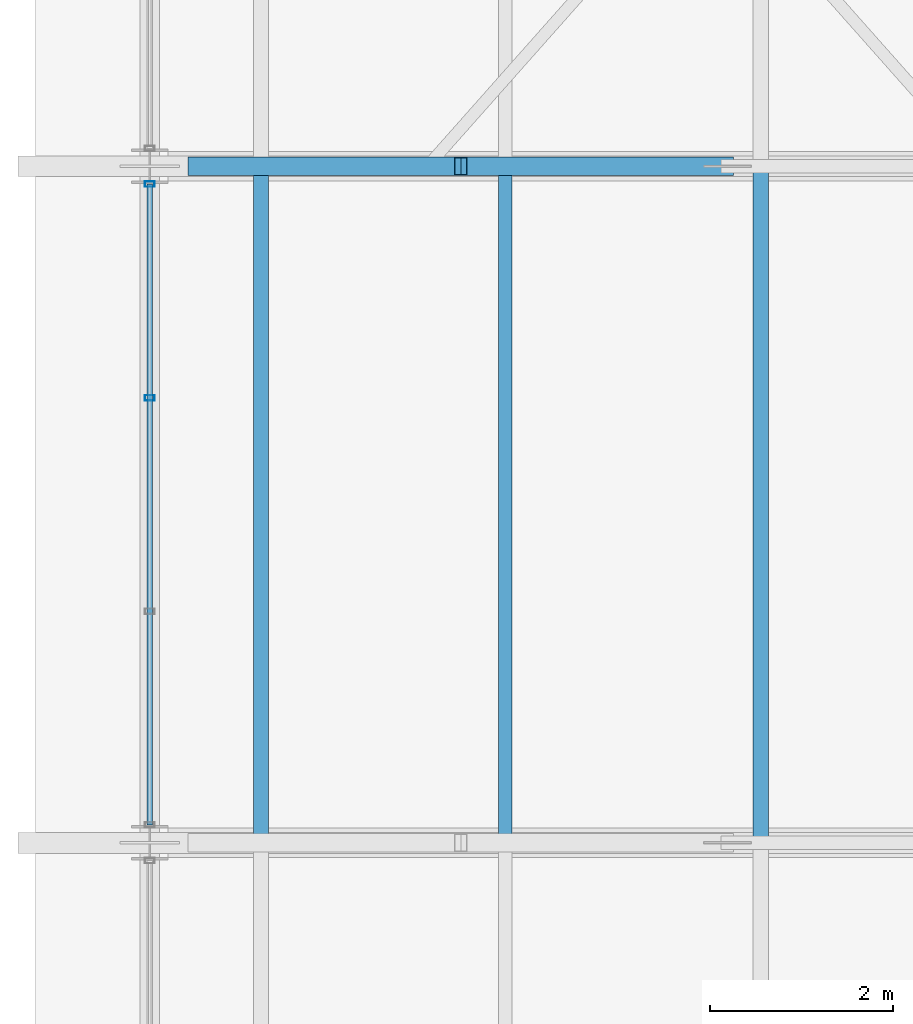
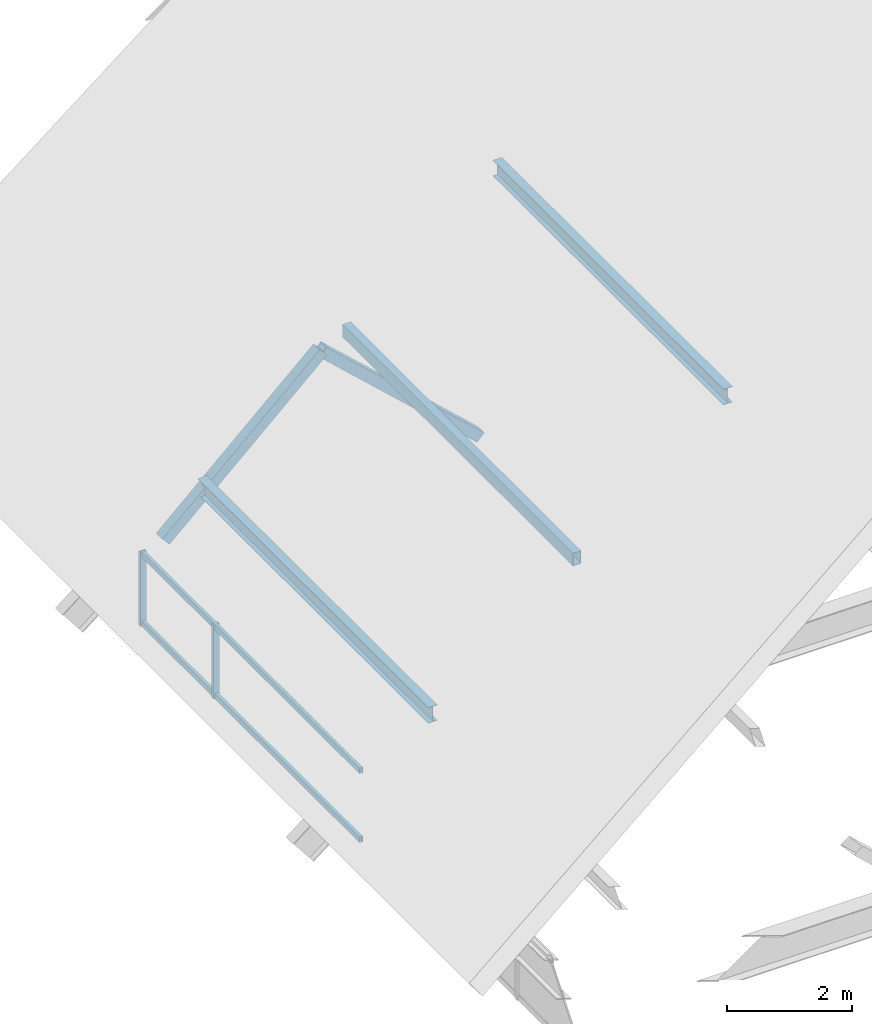
# One storey, part 32 of 44: 9 members, 1 element without a shape of its own.
"""IFC4 building model written with IfcOpenShell, lengths in metres."""

from ifc_helpers import new_model, si_unit, direction, frame, origin, origin_2d, place, context, subcontext, project, spatial, hollow_rectangle, i_section, extrude, material, material_profile, profile_set, type_object, element, aggregate, save


model = new_model("IFC4")

# Units and contexts
model_context = context("Model", 3, precision=1e-05, world=origin(), true_north=direction((0.0, 1.0)))
body_context = subcontext(model_context, "Body", "Model", "MODEL_VIEW")
ifc_project = project(units=[si_unit("LENGTHUNIT", "METRE"), si_unit("AREAUNIT", "SQUARE_METRE"), si_unit("VOLUMEUNIT", "CUBIC_METRE"), si_unit("PLANEANGLEUNIT", "RADIAN"), si_unit("MASSUNIT", "GRAM", prefix="KILO")], contexts=[model_context])

# Site, building, storey
site_placement = place(None, origin())
site = spatial("IfcSite", under=ifc_project, at=site_placement, CompositionType="ELEMENT")
building_placement = place(site_placement, origin())
building = spatial("IfcBuilding", under=site, at=building_placement, Name="Cimatlan Art Gallery", CompositionType="ELEMENT")
storey_placement = place(building_placement, frame((0.0, 0.0, 26.39990234375)))
storey = spatial("IfcBuildingStorey", under=building, at=storey_placement, Name="Roof", CompositionType="ELEMENT", Elevation=26.39990234375)

# Curtain wall, members
ifc_material_1 = material(Name="Anodised bronze unitised curtain wall")
curtain_wall_type = type_object("IfcCurtainWallType", Name="CW-V-07010X01450-B3", PredefinedType="NOTDEFINED", material=ifc_material_1)
curtain_wall_placement = place(storey_placement, origin())
curtain_wall = element("IfcCurtainWall", 1, at=curtain_wall_placement, inside=storey, type_object=curtain_wall_type, Name="CW-CRW-W-09", PredefinedType="NOTDEFINED")
ifc_material_2 = material(Name="Anodised bronze aluminium 6063-T6", Category="aluminium")
ifc_material_profile_1 = material_profile(ifc_material_2, hollow_rectangle(XDim=0.06005859375, YDim=0.110107421875, WallThickness=0.00341796875, at=origin_2d()), Name="ALU60X110X3")
ifc_profile_set_1 = profile_set([ifc_material_profile_1], Name="Anodised bronze aluminium 6063-T6")
member_type_1 = type_object("IfcMemberType", Name="CW-MUL-110", PredefinedType="MULLION", material=ifc_profile_set_1)
member_1_placement = place(storey_placement, frame((74.89990234375, 73.168212890625, 0.0), z_axis=(0.0, 0.0, 1.0), x_axis=(0.0, 1.0, 0.0)))
member_1 = element("IfcMember", 2, at=member_1_placement, type_object=member_type_1, Name="CW-CRW-W-09-M3", PredefinedType="MULLION", context=body_context, shape_type="SweptSolid", body=[
    extrude(hollow_rectangle(XDim=0.06005859375, YDim=0.110107421875, WallThickness=0.00341796875, at=origin_2d()), origin(), (0.0, 0.0, 1.0), 1.4501953125),
])
member_2_placement = place(storey_placement, frame((74.89990234375, 75.5048828125, 0.0), z_axis=(0.0, 0.0, 1.0), x_axis=(0.0, 1.0, 0.0)))
member_2 = element("IfcMember", 3, at=member_2_placement, type_object=member_type_1, Name="CW-CRW-W-09-M4", PredefinedType="MULLION", context=body_context, shape_type="SweptSolid", body=[
    extrude(hollow_rectangle(XDim=0.06005859375, YDim=0.110107421875, WallThickness=0.00341796875, at=origin_2d()), origin(), (0.0, 0.0, 1.0), 1.4501953125),
])
ifc_material_profile_2 = material_profile(ifc_material_2, hollow_rectangle(XDim=0.06005859375, YDim=0.110107421875, WallThickness=0.00341796875, at=origin_2d()), Name="ALU60X110X3")
ifc_profile_set_2 = profile_set([ifc_material_profile_2], Name="Anodised bronze aluminium 6063-T6")
member_type_2 = type_object("IfcMemberType", Name="CW-TRN-110", PredefinedType="USERDEFINED", material=ifc_profile_set_2)
member_3_placement = place(storey_placement, frame((74.89990234375, 68.4951171875, 0.050048828125), z_axis=(0.0, 1.0, 0.0), x_axis=(-1.0, 0.0, 0.0)))
member_3 = element("IfcMember", 4, at=member_3_placement, type_object=member_type_2, Name="CW-CRW-W-09-T1", ObjectType="TRANSOM", PredefinedType="USERDEFINED", context=body_context, shape_type="SweptSolid", body=[
    extrude(hollow_rectangle(XDim=0.06005859375, YDim=0.110107421875, WallThickness=0.00341796875, at=origin_2d()), origin(), (0.0, 0.0, 1.0), 7.009765625),
])
member_4_placement = place(storey_placement, frame((74.89990234375, 68.4951171875, 1.400146484375), z_axis=(0.0, 1.0, 0.0), x_axis=(-1.0, 0.0, 0.0)))
member_4 = element("IfcMember", 5, at=member_4_placement, type_object=member_type_2, Name="CW-CRW-W-09-T2", ObjectType="TRANSOM", PredefinedType="USERDEFINED", context=body_context, shape_type="SweptSolid", body=[
    extrude(hollow_rectangle(XDim=0.06005859375, YDim=0.110107421875, WallThickness=0.00341796875, at=origin_2d()), origin(), (0.0, 0.0, 1.0), 7.009765625),
])
aggregate(curtain_wall, [member_1, member_2, member_3, member_4])

# Members
ifc_material_3 = material(Name="Steel ASTM A500 Grade C", Category="steel")
ifc_material_profile_3 = material_profile(ifc_material_3, hollow_rectangle(XDim=0.14990234375, YDim=0.25, WallThickness=0.010009765625, at=origin_2d()), Name="HSS250X150X10")
ifc_profile_set_3 = profile_set([ifc_material_profile_3], Name="Steel ASTM A500 Grade C")
member_type_3 = type_object("IfcMemberType", Name="MBR-PUR-C250", PredefinedType="PURLIN", material=ifc_profile_set_3)
member_5_placement = place(storey_placement, frame((78.7880859375, 68.300048828125, 4.31201171875), z_axis=(0.0, 1.0, 0.0), x_axis=(-1.0, 0.0, 0.0)))
element("IfcMember", 6, at=member_5_placement, inside=storey, type_object=member_type_3, Name="PUR-V1-B7-W3", PredefinedType="PURLIN", context=body_context, shape_type="SweptSolid", body=[
    extrude(hollow_rectangle(XDim=0.14990234375, YDim=0.25, WallThickness=0.010009765625, at=origin_2d()), origin(), (0.0, 0.0, 1.0), 7.39990234375),
])
ifc_material_4 = material(Name="Steel ASTM A992 Grade 50", Category="steel")
ifc_material_profile_4 = material_profile(ifc_material_4, i_section(OverallWidth=0.1650390625, OverallDepth=0.31005859375, WebThickness=0.005859375, FlangeThickness=0.009765625, at=origin_2d()), Name="W12X26")
ifc_profile_set_4 = profile_set([ifc_material_profile_4], Name="Steel ASTM A992 Grade 50")
member_type_4 = type_object("IfcMemberType", Name="MBR-PUR-W12", PredefinedType="PURLIN", material=ifc_profile_set_4)
for number, where, z_axis, x_axis, name in (
    (7, (81.58251953125, 68.300048828125, 6.52001953125), (0.0, 1.0, 0.0), (-1.0, 0.0, 0.0), "PUR-V1-B7-W2"),
    (8, (76.114990234375, 68.300048828125, 2.2001953125), (0.0, 1.0, 0.0), (-1.0, 0.0, 0.0), "PUR-V1-B7-W4"),
):
    element("IfcMember", number, at=place(storey_placement, frame(where, z_axis=z_axis, x_axis=x_axis)), inside=storey, type_object=member_type_4, Name=name, PredefinedType="PURLIN", context=body_context, shape_type="SweptSolid", body=[
        extrude(i_section(OverallWidth=0.1650390625, OverallDepth=0.31005859375, WebThickness=0.005859375, FlangeThickness=0.009765625, at=origin_2d()), origin(), (0.0, 0.0, 1.0), 7.39990234375),
    ])
ifc_material_profile_5 = material_profile(ifc_material_3, hollow_rectangle(XDim=0.199951171875, YDim=0.199951171875, WallThickness=0.010009765625, at=origin_2d()), Name="HSS200X200X10")
ifc_profile_set_5 = profile_set([ifc_material_profile_5], Name="Steel ASTM A500 Grade C")
member_type_5 = type_object("IfcMemberType", Name="MBR-TRS-DIAG-1", PredefinedType="BRACE", material=ifc_profile_set_5)
for number, where, z_axis, x_axis, name in (
    (9, (75.385986328125, 75.699951171875, 1.400146484375), (0.735270574228, 0.0, 0.677773695768), (0.0, 1.0, 0.0), "TRS-08-DW-1"),
    (10, (78.302001953125, 75.699951171875, 4.088134765625), (0.735270574228, 0.0, -0.677773695768), (0.0, 1.0, 0.0), "TRS-08-DW-2"),
):
    element("IfcMember", number, at=place(storey_placement, frame(where, z_axis=z_axis, x_axis=x_axis)), inside=storey, type_object=member_type_5, Name=name, PredefinedType="BRACE", context=body_context, shape_type="SweptSolid", body=[
        extrude(hollow_rectangle(XDim=0.199951171875, YDim=0.199951171875, WallThickness=0.010009765625, at=origin_2d()), origin(), (0.0, 0.0, 1.0), 3.9658203125),
    ])

save(model, "model.ifc")
